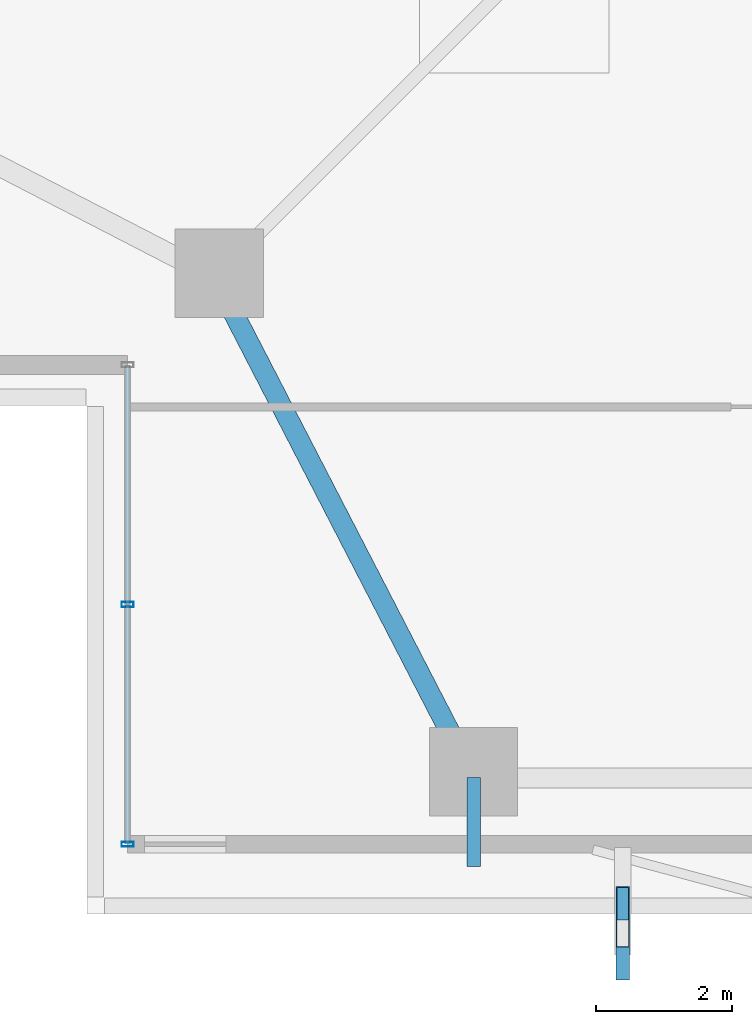
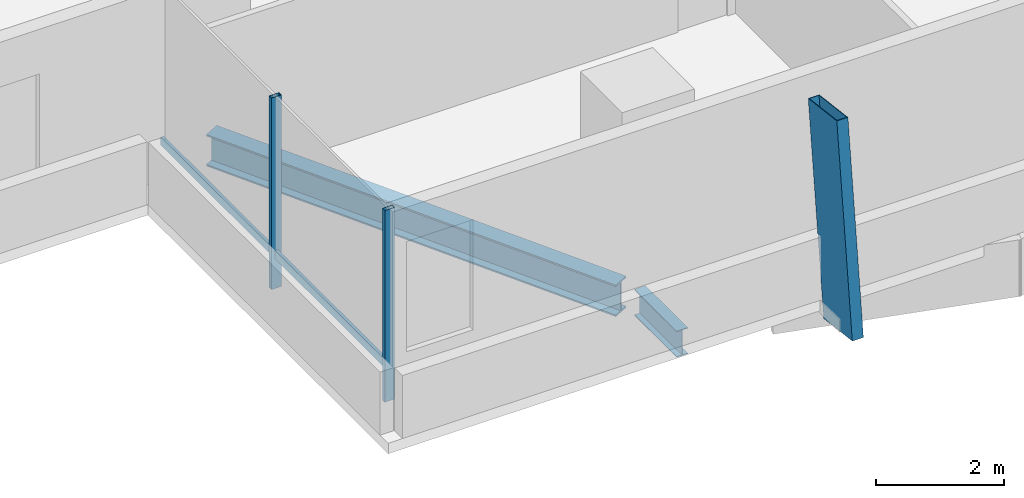
# One storey, part 2 of 34: 5 members, 2 beams, 1 element without a shape of its own.
"""IFC4 building model written with IfcOpenShell, lengths in metres."""

from ifc_helpers import new_model, si_unit, direction, frame, origin, origin_2d, place, context, subcontext, project, spatial, hollow_rectangle, i_section, extrude, material, layer, layer_set, material_profile, profile_set, type_object, element, aggregate, save


model = new_model("IFC4")

# Units and contexts
model_context = context("Model", 3, precision=1e-05, world=origin(), true_north=direction((0.0, 1.0)))
body_context = subcontext(model_context, "Body", "Model", "MODEL_VIEW")
ifc_project = project(units=[si_unit("LENGTHUNIT", "METRE"), si_unit("AREAUNIT", "SQUARE_METRE"), si_unit("VOLUMEUNIT", "CUBIC_METRE"), si_unit("PLANEANGLEUNIT", "RADIAN"), si_unit("MASSUNIT", "GRAM", prefix="KILO")], contexts=[model_context])

# Site, building, storey
site_placement = place(None, origin())
site = spatial("IfcSite", under=ifc_project, at=site_placement, CompositionType="ELEMENT")
building_placement = place(site_placement, origin())
building = spatial("IfcBuilding", under=site, at=building_placement, Name="Belovzor Exchange Tower", CompositionType="ELEMENT")
storey_placement = place(building_placement, frame((0.0, 0.0, 113.39990234375)))
storey = spatial("IfcBuildingStorey", under=building, at=storey_placement, Name="L27", CompositionType="ELEMENT", Elevation=113.39990234375)

# Beam
ifc_material_1 = material(Name="Steel S355", Category="steel")
ifc_material_profile_1 = material_profile(ifc_material_1, i_section(OverallWidth=0.199951171875, OverallDepth=0.5, WebThickness=0.01025390625, FlangeThickness=0.01611328125, at=origin_2d()))
ifc_profile_set_1 = profile_set([ifc_material_profile_1], Name="Steel S355")
beam_type_1 = type_object("IfcBeamType", Name="Planted Balcony Cantilever Beam IPE 500", PredefinedType="BEAM", material=ifc_profile_set_1)
beam_1_placement = place(storey_placement, frame((15.0, 3.81689453125, -0.5), z_axis=(0.0, -1.0, 0.0), x_axis=(1.0, 0.0, 0.0)))
element("IfcBeam", 1, at=beam_1_placement, inside=storey, type_object=beam_type_1, Name="BC-500 Planted Balcony Cantilever Beam IPE 500", PredefinedType="BEAM", context=body_context, shape_type="SweptSolid", body=[
    extrude(i_section(OverallWidth=0.199951171875, OverallDepth=0.5, WebThickness=0.01025390625, FlangeThickness=0.01611328125, at=origin_2d()), origin(), (0.0, 0.0, 1.0), 1.31689453125),
])

# Member
ifc_material_2 = material(Name="Extruded Architectural Terracotta on Steel S355 Carrier", Category="masonry")
ifc_material_profile_2 = material_profile(ifc_material_2, hollow_rectangle(XDim=0.199951171875, YDim=0.89990234375, WallThickness=0.011962890625, at=origin_2d()))
ifc_profile_set_2 = profile_set([ifc_material_profile_2], Name="Extruded Architectural Terracotta on Steel S355 Carrier")
member_type_1 = type_object("IfcMemberType", Name="Sweeping Terracotta Baguette Fin Assembly 1250", PredefinedType="USERDEFINED", material=ifc_profile_set_2)
member_1_placement = place(storey_placement, frame((17.199951171875, 1.27490234375, -0.25), z_axis=(0.0, 0.122941295572, 0.992413944805), x_axis=(-1.0, 0.0, 0.0)))
element("IfcMember", 2, at=member_1_placement, inside=storey, type_object=member_type_1, Name="FIN-TC125 Terracotta Facade Fin L27 S1", ObjectType="FIN", PredefinedType="USERDEFINED", context=body_context, shape_type="SweptSolid", body=[
    extrude(hollow_rectangle(XDim=0.199951171875, YDim=0.89990234375, WallThickness=0.011962890625, at=origin_2d()), origin(), (0.0, 0.0, 1.0), 3.929931640625),
])

# Curtain wall, members
ifc_material_3 = material(Name="Anodised Aluminium Framing", Category="aluminium")
ifc_layer = layer(ifc_material_3, 0.195068359375)
ifc_layer_set = layer_set([ifc_layer], Name="Anodised Aluminium Framing")
curtain_wall_type = type_object("IfcCurtainWallType", Name="Notched Re-Entrant Corner Unitised Curtain Wall", PredefinedType="NOTDEFINED", material=ifc_layer_set)
curtain_wall_placement = place(storey_placement, origin())
curtain_wall = element("IfcCurtainWall", 3, at=curtain_wall_placement, inside=storey, type_object=curtain_wall_type, Name="CW5 Notched Re-Entrant Corner Unitised Curtain Wall L27", PredefinedType="NOTDEFINED")
ifc_material_4 = material(Name="Steel S355", Category="steel")
ifc_material_profile_3 = material_profile(ifc_material_4, hollow_rectangle(XDim=0.074951171875, YDim=0.179931640625, WallThickness=0.0048828125, at=origin_2d()))
ifc_profile_set_3 = profile_set([ifc_material_profile_3], Name="Steel S355")
member_type_2 = type_object("IfcMemberType", Name="Thermally Broken Curtain Wall Mullion 180x75", PredefinedType="MULLION", material=ifc_profile_set_3)
member_2_placement = place(storey_placement, frame((9.89990234375, 2.830078125, 0.0), z_axis=(0.0, 0.0, 1.0), x_axis=(0.0, 1.0, 0.0)))
member_2 = element("IfcMember", 4, at=member_2_placement, type_object=member_type_2, Name="CW-M180 Curtain Wall Mullion 1", PredefinedType="MULLION", context=body_context, shape_type="SweptSolid", body=[
    extrude(hollow_rectangle(XDim=0.074951171875, YDim=0.179931640625, WallThickness=0.0048828125, at=origin_2d()), origin(), (0.0, 0.0, 1.0), 3.650146484375),
])
member_3_placement = place(storey_placement, frame((9.89990234375, 6.364990234375, 0.0), z_axis=(0.0, 0.0, 1.0), x_axis=(0.0, 1.0, 0.0)))
member_3 = element("IfcMember", 5, at=member_3_placement, type_object=member_type_2, Name="CW-M180 Curtain Wall Mullion 2", PredefinedType="MULLION", context=body_context, shape_type="SweptSolid", body=[
    extrude(hollow_rectangle(XDim=0.074951171875, YDim=0.179931640625, WallThickness=0.0048828125, at=origin_2d()), origin(), (0.0, 0.0, 1.0), 3.650146484375),
])
ifc_material_5 = material(Name="Steel S355", Category="steel")
ifc_material_profile_4 = material_profile(ifc_material_5, hollow_rectangle(XDim=0.06005859375, YDim=0.14990234375, WallThickness=0.00390625, at=origin_2d()))
ifc_profile_set_4 = profile_set([ifc_material_profile_4], Name="Steel S355")
member_type_3 = type_object("IfcMemberType", Name="Thermally Broken Curtain Wall Transom 150x60", PredefinedType="USERDEFINED", material=ifc_profile_set_4)
member_4_placement = place(storey_placement, frame((9.89990234375, 2.837890625, 0.650146484375), z_axis=(0.0, 1.0, 0.0), x_axis=(-1.0, 0.0, 0.0)))
member_4 = element("IfcMember", 6, at=member_4_placement, type_object=member_type_3, Name="CW-T150 Curtain Wall Transom 1", ObjectType="TRANSOM", PredefinedType="USERDEFINED", context=body_context, shape_type="SweptSolid", body=[
    extrude(hollow_rectangle(XDim=0.06005859375, YDim=0.14990234375, WallThickness=0.00390625, at=origin_2d()), origin(), (0.0, 0.0, 1.0), 3.51904296875),
])
member_5_placement = place(storey_placement, frame((9.89990234375, 6.373046875, 0.650146484375), z_axis=(0.0, 1.0, 0.0), x_axis=(-1.0, 0.0, 0.0)))
member_5 = element("IfcMember", 7, at=member_5_placement, type_object=member_type_3, Name="CW-T150 Curtain Wall Transom 2", ObjectType="TRANSOM", PredefinedType="USERDEFINED", context=body_context, shape_type="SweptSolid", body=[
    extrude(hollow_rectangle(XDim=0.06005859375, YDim=0.14990234375, WallThickness=0.00390625, at=origin_2d()), origin(), (0.0, 0.0, 1.0), 3.51904296875),
])
aggregate(curtain_wall, [member_2, member_3, member_4, member_5])

# Beam
ifc_material_6 = material(Name="Steel S355", Category="steel")
ifc_material_profile_5 = material_profile(ifc_material_6, i_section(OverallWidth=0.300048828125, OverallDepth=0.60009765625, WebThickness=0.015380859375, FlangeThickness=0.030029296875, at=origin_2d()))
ifc_profile_set_5 = profile_set([ifc_material_profile_5], Name="Steel S355")
beam_type_2 = type_object("IfcBeamType", Name="Zone 2 Primary Perimeter Girder HEB 600", PredefinedType="BEAM", material=ifc_profile_set_5)
beam_2_placement = place(storey_placement, frame((11.35302734375, 10.87109375, -0.5498046875), z_axis=(0.45880511642, -0.888536923907, 0.0), x_axis=(0.888536923907, 0.45880511642, 0.0)))
element("IfcBeam", 8, at=beam_2_placement, inside=storey, type_object=beam_type_2, Name="FG-Z2 Zone 2 Primary Perimeter Girder HEB 600", PredefinedType="BEAM", context=body_context, shape_type="SweptSolid", body=[
    extrude(i_section(OverallWidth=0.300048828125, OverallDepth=0.60009765625, WebThickness=0.015380859375, FlangeThickness=0.030029296875, at=origin_2d()), origin(), (0.0, 0.0, 1.0), 7.59130859375),
])

save(model, "model.ifc")
